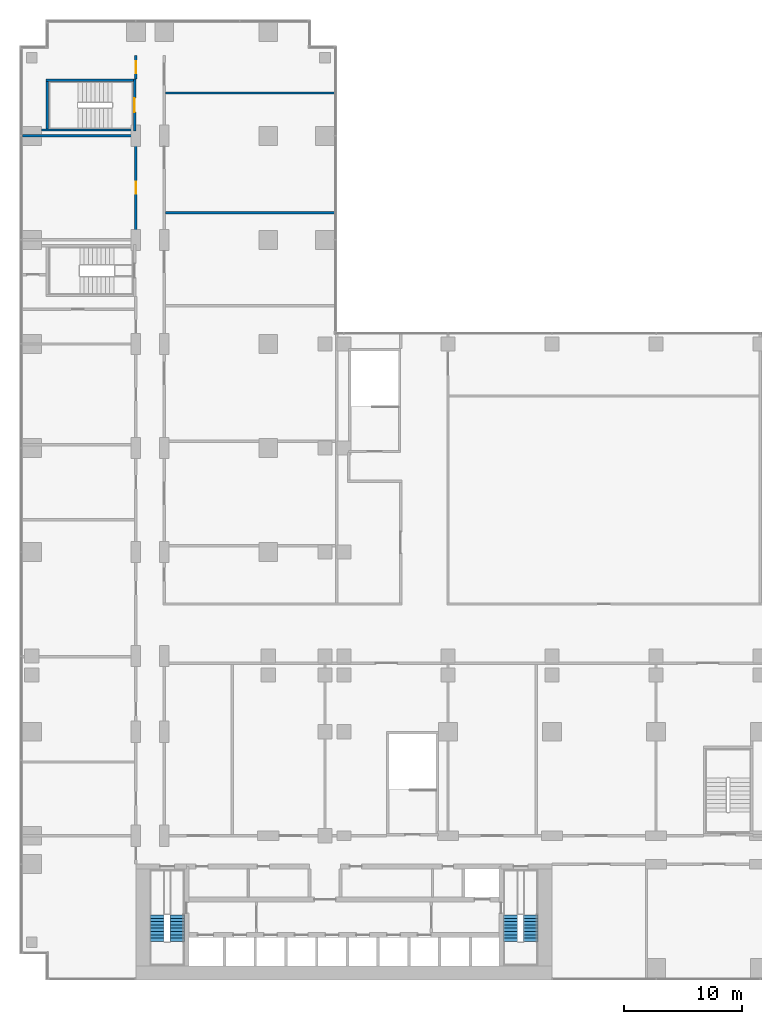
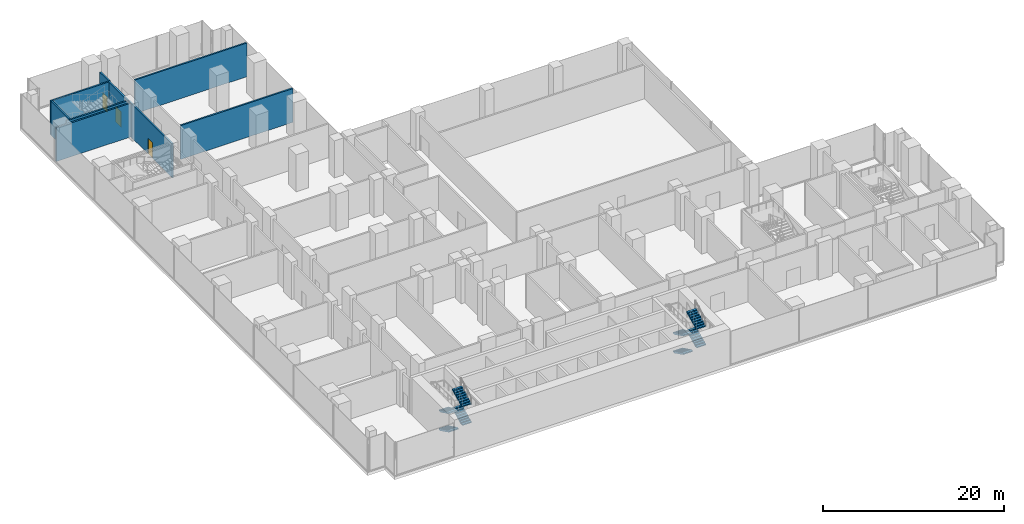
# One storey, part 22 of 27: 9 walls, 8 stair flights, 3 doors, 3 openings, 2 elements without a shape of their own.
"""IFC4 building model written with IfcOpenShell, lengths in metres."""

import ifcopenshell
import ifcopenshell.guid

model = None  # the IFC model being written
_history = None  # IfcOwnerHistory: only IFC2X3 demands one
_inside = {}  # id of a spatial element -> (the spatial element, [elements in it])
_under = {}  # id of a project, library or spatial element -> (it, [spatial elements below it])
_declared = {}  # id of a project -> (the project, [libraries it declares])
_typed = {}  # id of a type object -> (the type object, [elements of that type])
_made_of = {}  # id of a material, layer set ... -> (it, [elements and type objects made of it])


def new_model(schema):
    """Start an empty IFC model of exactly this schema.

    Asked for "IFC4X3", IfcOpenShell would pick the latest addendum, in which some entities
    have other attributes; the version numbers below select the first issue.
    IFC2X3 requires an IfcOwnerHistory on every rooted entity: one is made here for all.
    """
    global model, _history
    if schema == "IFC4X3":
        model = ifcopenshell.file(schema_version=(4, 3, 0, 0))
    else:
        model = ifcopenshell.file(schema=schema)
    _inside.clear()
    _under.clear()
    _declared.clear()
    _typed.clear()
    _made_of.clear()
    _history = None
    if model.schema == "IFC2X3":
        org = make("IfcOrganization", Name="unknown")
        user = make(
            "IfcPersonAndOrganization",
            ThePerson=make("IfcPerson", FamilyName="unknown"),
            TheOrganization=org,
        )
        app = make(
            "IfcApplication",
            ApplicationDeveloper=org,
            Version="unknown",
            ApplicationFullName="unknown",
            ApplicationIdentifier="unknown",
        )
        _history = make(
            "IfcOwnerHistory",
            OwningUser=user,
            OwningApplication=app,
            ChangeAction="ADDED",
            CreationDate=0,
        )
    return model


def make(cls, **values):
    """One entity of the class cls with the attributes given. An attribute that is None is left unset."""
    return model.create_entity(
        cls, **{name: value for name, value in values.items() if value is not None}
    )


def rooted(cls, **values):
    """An entity with a GlobalId (a new one), such as an element, a storey or a relation."""
    return make(cls, GlobalId=ifcopenshell.guid.new(), OwnerHistory=_history, **values)


def si_unit(unit_type, name, prefix=None):
    """IfcSIUnit, for example si_unit("LENGTHUNIT", "METRE", prefix="MILLI")."""
    return make("IfcSIUnit", UnitType=unit_type, Prefix=prefix, Name=name)


def assignment(units):
    """IfcUnitAssignment: the units of a project."""
    return None if units is None else make("IfcUnitAssignment", Units=units)


def point(xyz):
    """IfcCartesianPoint."""
    return None if xyz is None else make("IfcCartesianPoint", Coordinates=xyz)


def direction(xyz):
    """IfcDirection."""
    return None if xyz is None else make("IfcDirection", DirectionRatios=xyz)


def frame(location, z_axis=None, x_axis=None):
    """IfcAxis2Placement3D, a coordinate frame: its origin and axes. An axis left out is left unset."""
    return make(
        "IfcAxis2Placement3D",
        Location=point(location),
        Axis=direction(z_axis),
        RefDirection=direction(x_axis),
    )


def frame_2d(location, x_axis=None):
    """IfcAxis2Placement2D, a coordinate frame in the plane: its origin and x axis."""
    return make(
        "IfcAxis2Placement2D", Location=point(location), RefDirection=direction(x_axis)
    )


def origin():
    """The frame at (0, 0, 0) with its axes left unset."""
    return frame((0.0, 0.0, 0.0))


def place(relative_to, where):
    """IfcLocalPlacement: puts the frame where relative to a parent placement (None: the world)."""
    return make(
        "IfcLocalPlacement", PlacementRelTo=relative_to, RelativePlacement=where
    )


def context(
    kind, dimensions, precision=None, world=None, true_north=None, identifier=None
):
    """IfcGeometricRepresentationContext, for example the 3D "Model" context."""
    return make(
        "IfcGeometricRepresentationContext",
        ContextIdentifier=identifier,
        ContextType=kind,
        CoordinateSpaceDimension=dimensions,
        Precision=precision,
        WorldCoordinateSystem=world,
        TrueNorth=true_north,
    )


def subcontext(parent, identifier, kind, view, scale=None):
    """IfcGeometricRepresentationSubContext, for example "Body" below "Model"."""
    return make(
        "IfcGeometricRepresentationSubContext",
        ContextIdentifier=identifier,
        ContextType=kind,
        ParentContext=parent,
        TargetScale=scale,
        TargetView=view,
    )


def project(units=None, contexts=None):
    """IfcProject with its units and contexts."""
    return rooted(
        "IfcProject",
        Name="project",
        RepresentationContexts=contexts,
        UnitsInContext=assignment(units),
    )


def spatial(cls, under=None, at=None, **own):
    """A site, building, storey or space (cls), placed at a placement, below another one or the project."""
    s = rooted(cls, ObjectPlacement=at, **own)
    if under is not None:
        _under.setdefault(under.id(), (under, []))[1].append(s)
    return s


def polyline(points):
    """IfcPolyline through the points."""
    return make("IfcPolyline", Points=[point(p) for p in points])


def profile(cls, at=None, kind="AREA", **sizes):
    """A parametric profile (cls). Its sizes go by their IFC names, for example OverallWidth=200.0."""
    return make(cls, ProfileType=kind, Position=at, **sizes)


def rectangle(**sizes):
    """IfcRectangleProfileDef."""
    return profile("IfcRectangleProfileDef", **sizes)


def outline(outer, holes=None, kind="AREA"):
    """IfcArbitraryClosedProfileDef: a profile drawn as a closed curve; with holes, ...WithVoids."""
    if holes is None:
        return make("IfcArbitraryClosedProfileDef", ProfileType=kind, OuterCurve=outer)
    return make(
        "IfcArbitraryProfileDefWithVoids",
        ProfileType=kind,
        OuterCurve=outer,
        InnerCurves=holes,
    )


def extrude(swept, where, along, depth):
    """IfcExtrudedAreaSolid: the profile swept, set in the frame where, extruded along a direction by depth."""
    return make(
        "IfcExtrudedAreaSolid",
        SweptArea=swept,
        Position=where,
        ExtrudedDirection=direction(along),
        Depth=depth,
    )


def shape(context_of_items, identifier, shape_type, items):
    """IfcShapeRepresentation: the items that make up one representation, for example the "Body"."""
    return make(
        "IfcShapeRepresentation",
        ContextOfItems=context_of_items,
        RepresentationIdentifier=identifier,
        RepresentationType=shape_type,
        Items=items,
    )


def material(Name=None, Category=None):
    """IfcMaterial."""
    return make("IfcMaterial", Name=Name, Category=Category)


def layer(
    of_material, thickness, ventilated=None, Name=None, Category=None, Priority=None
):
    """IfcMaterialLayer: one layer of a wall or slab, of a material (None: an air gap)."""
    return make(
        "IfcMaterialLayer",
        Material=of_material,
        LayerThickness=thickness,
        IsVentilated=ventilated,
        Name=Name,
        Category=Category,
        Priority=Priority,
    )


def layer_set(layers, Name=None):
    """IfcMaterialLayerSet."""
    return make("IfcMaterialLayerSet", MaterialLayers=layers, LayerSetName=Name)


def made_of(thing, what):
    """Note that an element or type object is made of a material, layer set ...; save() writes the relation."""
    if what is not None:
        _made_of.setdefault(what.id(), (what, []))[1].append(thing)
    return thing


def type_object(cls, material=None, **own):
    """A type object (cls), such as IfcWallType, which elements share."""
    return made_of(rooted(cls, **own), material)


def element(
    cls,
    number,
    at=None,
    inside=None,
    cuts=None,
    type_object=None,
    material=None,
    context=None,
    identifier="Body",
    shape_type=None,
    held_by="IfcProductDefinitionShape",
    body=None,
    shapes=None,
    **own,
):
    """One element of the class cls, such as IfcWall. Its Tag is "e" and its number.

    at: its placement. inside: the storey or other place that contains it. cuts: it is an
    opening in that element (IfcRelVoidsElement). A single representation is given by context,
    identifier, shape_type and body (its items); several are given by shapes. held_by: the class
    of the entity that holds the representations. save() writes the other relations.
    """
    e = rooted(cls, Tag="e%d" % number, ObjectPlacement=at, **own)
    if body is not None:
        shapes = [shape(context, identifier, shape_type, body)]
    if shapes is not None:
        e.Representation = make(held_by, Representations=shapes)
    if inside is not None:
        _inside.setdefault(inside.id(), (inside, []))[1].append(e)
    if cuts is not None:
        rooted(
            "IfcRelVoidsElement", RelatingBuildingElement=cuts, RelatedOpeningElement=e
        )
    if type_object is not None:
        _typed.setdefault(type_object.id(), (type_object, []))[1].append(e)
    return made_of(e, material)


def fill(opening, filler):
    """IfcRelFillsElement: the door or window that sits in an opening."""
    return rooted(
        "IfcRelFillsElement",
        RelatingOpeningElement=opening,
        RelatedBuildingElement=filler,
    )


def aggregate(whole, parts):
    """IfcRelAggregates: a whole, such as a stair, and the parts it consists of."""
    return rooted("IfcRelAggregates", RelatingObject=whole, RelatedObjects=parts)


def save(model, path):
    """Write the relations noted so far, then the file.

    IfcRelAggregates (storeys below a building ...), IfcRelContainedInSpatialStructure (elements
    in a storey), IfcRelDefinesByType, IfcRelAssociatesMaterial and IfcRelDeclares: one each for
    every whole, place, type object, material and project.
    """
    for whole, parts in _under.values():
        aggregate(whole, parts)
    for where, things in _inside.values():
        rooted(
            "IfcRelContainedInSpatialStructure",
            RelatedElements=things,
            RelatingStructure=where,
        )
    for kind, things in _typed.values():
        rooted("IfcRelDefinesByType", RelatedObjects=things, RelatingType=kind)
    for what, things in _made_of.values():
        rooted("IfcRelAssociatesMaterial", RelatedObjects=things, RelatingMaterial=what)
    for by, libraries in _declared.values():
        rooted("IfcRelDeclares", RelatingContext=by, RelatedDefinitions=libraries)
    model.write(path)


model = new_model("IFC4")

# Units and contexts
model_context = context("Model", 3, precision=1e-05, world=origin(), true_north=direction((0.0, 1.0)))
body_context = subcontext(model_context, "Body", "Model", "MODEL_VIEW")
ifc_project = project(units=[si_unit("LENGTHUNIT", "METRE"), si_unit("AREAUNIT", "SQUARE_METRE"), si_unit("VOLUMEUNIT", "CUBIC_METRE"), si_unit("PLANEANGLEUNIT", "RADIAN"), si_unit("MASSUNIT", "GRAM", prefix="KILO")], contexts=[model_context])

# Site, building, storey
site_placement = place(None, origin())
site = spatial("IfcSite", under=ifc_project, at=site_placement, CompositionType="ELEMENT")
building_placement = place(site_placement, origin())
building = spatial("IfcBuilding", under=site, at=building_placement, Name="Kemantara Hotel Tower", CompositionType="ELEMENT")
storey_placement = place(building_placement, frame((0.0, 0.0, 29.0)))
storey = spatial("IfcBuildingStorey", under=building, at=storey_placement, Name="L05", CompositionType="ELEMENT", Elevation=29.0)

# Wall, opening, door
ifc_material_1 = material(Name="Concrete fc 40 MPa", Category="concrete")
ifc_layer_1 = layer(ifc_material_1, 0.199951171875)
ifc_layer_set_1 = layer_set([ifc_layer_1], Name="Concrete fc 40 MPa")
wall_type_1 = type_object("IfcWallType", Name="Concrete stair wall 200 mm", PredefinedType="SHEAR", material=ifc_layer_set_1)
wall_1_placement = place(storey_placement, frame((9.699951171875, 71.800048828125, 0.0), z_axis=(0.0, 0.0, 1.0), x_axis=(0.0, 1.0, 0.0)))
wall_1 = element("IfcWall", 1, at=wall_1_placement, inside=storey, type_object=wall_type_1, Name="Stair ST6 enclosure wall with door", PredefinedType="SHEAR", context=body_context, shape_type="SweptSolid", body=[
    extrude(rectangle(XDim=4.39990234375, YDim=0.199951171875, at=frame_2d((2.199951171875, 0.0))), origin(), (0.0, 0.0, 1.0), 4.60009765625),
])
opening_1_placement = place(wall_1_placement, frame((1.60009765625, 0.0, 0.0)))
opening_1 = element("IfcOpeningElement", 2, at=opening_1_placement, cuts=wall_1, Name="Opening ST6-C", PredefinedType="OPENING", context=body_context, shape_type="SweptSolid", body=[
    extrude(rectangle(XDim=1.199951171875, YDim=2.10009765625, at=frame_2d((0.60009765625, 1.050048828125))), frame((0.0, 0.10986328125, 0.0), z_axis=(0.0, -1.0, 0.0), x_axis=(1.0, 0.0, 0.0)), (0.0, 0.0, 1.0), 0.219970703125),
])
ifc_material_2 = material(Name="Steel fire door", Category="steel")
door_type_1 = type_object("IfcDoorType", Name="Fire door FD90 1200 x 2100", OperationType="NOTDEFINED", PredefinedType="DOOR", material=ifc_material_2)
door_1_placement = place(opening_1_placement, origin())
door_1 = element("IfcDoor", 3, at=door_1_placement, inside=storey, type_object=door_type_1, Name="Stair ST6 door", OperationType="SINGLE_SWING_RIGHT", OverallHeight=2.10009765625, OverallWidth=1.199951171875, PredefinedType="DOOR", context=body_context, shape_type="SweptSolid", body=[
    extrude(rectangle(XDim=1.199951171875, YDim=2.10009765625, at=frame_2d((0.60009765625, 1.050048828125))), frame((0.0, 0.02490234375, 0.0), z_axis=(0.0, -1.0, 0.0), x_axis=(1.0, 0.0, 0.0)), (0.0, 0.0, 1.0), 0.050048828125),
])
fill(opening_1, door_1)

# Walls
wall_2_placement = place(storey_placement, frame((2.199951171875, 76.10009765625, 0.0), z_axis=(0.0, 0.0, 1.0), x_axis=(1.0, 0.0, 0.0)))
element("IfcWall", 4, at=wall_2_placement, inside=storey, type_object=wall_type_1, Name="Stair ST6 enclosure wall N", PredefinedType="SHEAR", context=body_context, shape_type="SweptSolid", body=[
    extrude(rectangle(XDim=7.400146484375, YDim=0.199951171875, at=frame_2d((3.7001953125, 0.0))), origin(), (0.0, 0.0, 1.0), 4.60009765625),
])
wall_3_placement = place(storey_placement, frame((1.800048828125, 71.89990234375, 0.0), z_axis=(0.0, 0.0, 1.0), x_axis=(1.0, 0.0, 0.0)))
element("IfcWall", 5, at=wall_3_placement, inside=storey, type_object=wall_type_1, Name="Stair ST6 enclosure wall S", PredefinedType="SHEAR", context=body_context, shape_type="SweptSolid", body=[
    extrude(rectangle(XDim=7.800048828125, YDim=0.199951171875, at=frame_2d((3.89990234375, 0.0))), origin(), (0.0, 0.0, 1.0), 4.60009765625),
])
wall_4_placement = place(storey_placement, frame((2.300048828125, 72.0, 0.0), z_axis=(0.0, 0.0, 1.0), x_axis=(0.0, 1.0, 0.0)))
element("IfcWall", 6, at=wall_4_placement, inside=storey, type_object=wall_type_1, Name="Stair ST6 enclosure wall W", PredefinedType="SHEAR", context=body_context, shape_type="SweptSolid", body=[
    extrude(rectangle(XDim=4.0, YDim=0.199951171875, at=frame_2d((2.0, 0.0))), origin(), (0.0, 0.0, 1.0), 4.60009765625),
])

# Wall, opening, door
ifc_material_3 = material(Name="Fire-rated gypsum board partition")
ifc_layer_2 = layer(ifc_material_3, 0.199951171875)
ifc_layer_set_2 = layer_set([ifc_layer_2], Name="Fire-rated gypsum board partition")
wall_type_2 = type_object("IfcWallType", Name="FIRE-RATED GYPSUM PARTITION 200 EI 60", PredefinedType="PARTITIONING", material=ifc_layer_set_2)
wall_5_placement = place(storey_placement, frame((9.800048828125, 62.199951171875, 0.0), z_axis=(0.0, 0.0, 1.0), x_axis=(0.0, 1.0, 0.0)))
wall_5 = element("IfcWall", 7, at=wall_5_placement, inside=storey, type_object=wall_type_2, Name="FIRE-RATED PARTITION", PredefinedType="PARTITIONING", context=body_context, shape_type="SweptSolid", body=[
    extrude(rectangle(XDim=9.60009765625, YDim=0.199951171875, at=frame_2d((4.800048828125, 0.0))), origin(), (0.0, 0.0, 1.0), 4.550048828125),
])
opening_2_placement = place(wall_5_placement, frame((4.300048828125, 0.0, 0.0)))
opening_2 = element("IfcOpeningElement", 8, at=opening_2_placement, cuts=wall_5, Name="Opening L05-B013", PredefinedType="OPENING", context=body_context, shape_type="SweptSolid", body=[
    extrude(rectangle(XDim=1.0, YDim=2.10009765625, at=frame_2d((0.5, 1.050048828125))), frame((0.0, 0.10986328125, 0.0), z_axis=(0.0, -1.0, 0.0), x_axis=(1.0, 0.0, 0.0)), (0.0, 0.0, 1.0), 0.219970703125),
])
ifc_material_4 = material(Name="Timber veneer door leaf", Category="wood")
door_type_2 = type_object("IfcDoorType", Name="SINGLE LEAF TIMBER DOOR 1000 X 2100", OperationType="SINGLE_SWING_LEFT", PredefinedType="DOOR", material=ifc_material_4)
door_2_placement = place(opening_2_placement, origin())
door_2 = element("IfcDoor", 9, at=door_2_placement, inside=storey, type_object=door_type_2, Name="SINGLE LEAF TIMBER DOOR", OperationType="SINGLE_SWING_RIGHT", OverallHeight=2.10009765625, OverallWidth=1.0, PredefinedType="DOOR", context=body_context, shape_type="SweptSolid", body=[
    extrude(rectangle(XDim=1.0, YDim=2.10009765625, at=frame_2d((0.5, 1.050048828125))), frame((0.0, 0.02490234375, 0.0), z_axis=(0.0, -1.0, 0.0), x_axis=(1.0, 0.0, 0.0)), (0.0, 0.0, 1.0), 0.050048828125),
])
fill(opening_2, door_2)

wall_6_placement = place(storey_placement, frame((9.800048828125, 76.199951171875, 0.0), z_axis=(0.0, 0.0, 1.0), x_axis=(0.0, 1.0, 0.0)))
wall_6 = element("IfcWall", 10, at=wall_6_placement, inside=storey, type_object=wall_type_2, Name="FIRE-RATED PARTITION", PredefinedType="PARTITIONING", context=body_context, shape_type="SweptSolid", body=[
    extrude(rectangle(XDim=2.0, YDim=0.199951171875, at=frame_2d((1.0, 0.0))), origin(), (0.0, 0.0, 1.0), 4.550048828125),
])
opening_3_placement = place(wall_6_placement, frame((0.5, 0.0, 0.0)))
opening_3 = element("IfcOpeningElement", 11, at=opening_3_placement, cuts=wall_6, Name="Opening L05-B014", PredefinedType="OPENING", context=body_context, shape_type="SweptSolid", body=[
    extrude(rectangle(XDim=1.0, YDim=2.10009765625, at=frame_2d((0.5, 1.050048828125))), frame((0.0, 0.10986328125, 0.0), z_axis=(0.0, -1.0, 0.0), x_axis=(1.0, 0.0, 0.0)), (0.0, 0.0, 1.0), 0.219970703125),
])
door_3_placement = place(opening_3_placement, origin())
door_3 = element("IfcDoor", 12, at=door_3_placement, inside=storey, type_object=door_type_2, Name="SINGLE LEAF TIMBER DOOR", OperationType="SINGLE_SWING_RIGHT", OverallHeight=2.10009765625, OverallWidth=1.0, PredefinedType="DOOR", context=body_context, shape_type="SweptSolid", body=[
    extrude(rectangle(XDim=1.0, YDim=2.10009765625, at=frame_2d((0.5, 1.050048828125))), frame((0.0, 0.02490234375, 0.0), z_axis=(0.0, -1.0, 0.0), x_axis=(1.0, 0.0, 0.0)), (0.0, 0.0, 1.0), 0.050048828125),
])
fill(opening_3, door_3)

# Walls
ifc_material_5 = material(Name="Gypsum board partition")
ifc_layer_3 = layer(ifc_material_5, 0.199951171875)
ifc_layer_set_3 = layer_set([ifc_layer_3], Name="Gypsum board partition")
wall_type_3 = type_object("IfcWallType", Name="GYPSUM BOARD PARTITION 200", PredefinedType="PARTITIONING", material=ifc_layer_set_3)
wall_7_placement = place(storey_placement, frame((0.199951171875, 71.39990234375, 0.0), z_axis=(0.0, 0.0, 1.0), x_axis=(1.0, 0.0, 0.0)))
element("IfcWall", 13, at=wall_7_placement, inside=storey, type_object=wall_type_3, Name="PARTITION", PredefinedType="PARTITIONING", context=body_context, shape_type="SweptSolid", body=[
    extrude(rectangle(XDim=9.5, YDim=0.199951171875, at=frame_2d((4.75, 0.0))), origin(), (0.0, 0.0, 1.0), 4.550048828125),
])
for number, where, z_axis, x_axis, name in (
    (14, (12.300048828125, 64.889892578125, 0.0), (0.0, 0.0, 1.0), (1.0, 0.0, 0.0), "PARTITION"),
    (15, (12.300048828125, 75.030029296875, 0.0), (0.0, 0.0, 1.0), (1.0, 0.0, 0.0), "PARTITION"),
):
    element("IfcWall", number, at=place(storey_placement, frame(where, z_axis=z_axis, x_axis=x_axis)), inside=storey, type_object=wall_type_3, Name=name, PredefinedType="PARTITIONING", context=body_context, shape_type="SweptSolid", body=[
        extrude(rectangle(XDim=14.300048828125, YDim=0.199951171875, at=frame_2d((7.14990234375, 0.0))), origin(), (0.0, 0.0, 1.0), 4.550048828125),
    ])

# Stair, stair flights
stair_type = type_object("IfcStairType", Name="Stair 1200 wide 36 risers of 139 x 280 mm", PredefinedType="HALF_TURN_STAIR", material=ifc_material_1)
stair_1_placement = place(storey_placement, origin())
stair_1 = element("IfcStair", 16, at=stair_1_placement, inside=storey, type_object=stair_type, Name="L05 Exit stair ST1", PredefinedType="HALF_TURN_STAIR")
stair_flight_type = type_object("IfcStairFlightType", Name="Stair flight 1200 wide 139 x 280 mm", PredefinedType="STRAIGHT", material=ifc_material_1)
stair_flight_1_placement = place(storey_placement, frame((11.60009765625, 5.5, 0.0), z_axis=(0.0, 0.0, 1.0), x_axis=(0.0, -1.0, 0.0)))
stair_flight_1 = element("IfcStairFlight", 17, at=stair_flight_1_placement, type_object=stair_flight_type, Name="ST1 flight 1", NumberOfRisers=9, NumberOfTreads=8, PredefinedType="STRAIGHT", RiserHeight=0.138888889, TreadLength=0.28, context=body_context, shape_type="SweptSolid", body=[
    extrude(outline(polyline([(0.0, 0.0), (0.0, 0.138916015625), (0.280029296875, 0.138916015625), (0.280029296875, 0.27783203125), (0.56005859375, 0.27783203125), (0.56005859375, 0.416748046875), (0.840087890625, 0.416748046875), (0.840087890625, 0.5556640625), (1.1201171875, 0.5556640625), (1.1201171875, 0.6943359375), (1.39990234375, 0.6943359375), (1.39990234375, 0.833251953125), (1.679931640625, 0.833251953125), (1.679931640625, 0.97216796875), (1.9599609375, 0.97216796875), (1.9599609375, 1.111083984375), (2.239990234375, 1.111083984375), (2.239990234375, 1.25), (2.239990234375, 0.94384765625), (0.33740234375, 0.0), (0.0, 0.0)])), frame((0.0, 0.60009765625, 0.0), z_axis=(0.0, -1.0, 0.0), x_axis=(1.0, 0.0, 0.0)), (0.0, 0.0, 1.0), 1.199951171875),
])
stair_flight_2_placement = place(storey_placement, frame((13.300048828125, 3.260009765625, 1.25), z_axis=(0.0, 0.0, 1.0), x_axis=(0.0, 1.0, 0.0)))
stair_flight_2 = element("IfcStairFlight", 18, at=stair_flight_2_placement, type_object=stair_flight_type, Name="ST1 flight 2", NumberOfRisers=9, NumberOfTreads=8, PredefinedType="STRAIGHT", RiserHeight=0.138888889, TreadLength=0.28, context=body_context, shape_type="SweptSolid", body=[
    extrude(outline(polyline([(0.0, 0.0), (0.0, 0.138916015625), (0.280029296875, 0.138916015625), (0.280029296875, 0.27783203125), (0.56005859375, 0.27783203125), (0.56005859375, 0.416748046875), (0.840087890625, 0.416748046875), (0.840087890625, 0.5556640625), (1.1201171875, 0.5556640625), (1.1201171875, 0.6943359375), (1.39990234375, 0.6943359375), (1.39990234375, 0.833251953125), (1.679931640625, 0.833251953125), (1.679931640625, 0.97216796875), (1.9599609375, 0.97216796875), (1.9599609375, 1.111083984375), (2.239990234375, 1.111083984375), (2.239990234375, 1.25), (2.239990234375, 0.94384765625), (0.33740234375, 0.0), (0.0, 0.0)])), frame((0.0, 0.60009765625, 0.0), z_axis=(0.0, -1.0, 0.0), x_axis=(1.0, 0.0, 0.0)), (0.0, 0.0, 1.0), 1.199951171875),
])
stair_flight_3_placement = place(storey_placement, frame((11.60009765625, 5.5, 2.5), z_axis=(0.0, 0.0, 1.0), x_axis=(0.0, -1.0, 0.0)))
stair_flight_3 = element("IfcStairFlight", 19, at=stair_flight_3_placement, type_object=stair_flight_type, Name="ST1 flight 3", NumberOfRisers=9, NumberOfTreads=8, PredefinedType="STRAIGHT", RiserHeight=0.138888889, TreadLength=0.28, context=body_context, shape_type="SweptSolid", body=[
    extrude(outline(polyline([(0.0, 0.0), (0.0, 0.138916015625), (0.280029296875, 0.138916015625), (0.280029296875, 0.27783203125), (0.56005859375, 0.27783203125), (0.56005859375, 0.416748046875), (0.840087890625, 0.416748046875), (0.840087890625, 0.5556640625), (1.1201171875, 0.5556640625), (1.1201171875, 0.6943359375), (1.39990234375, 0.6943359375), (1.39990234375, 0.833251953125), (1.679931640625, 0.833251953125), (1.679931640625, 0.97216796875), (1.9599609375, 0.97216796875), (1.9599609375, 1.111083984375), (2.239990234375, 1.111083984375), (2.239990234375, 1.25), (2.239990234375, 0.94384765625), (0.33740234375, 0.0), (0.0, 0.0)])), frame((0.0, 0.60009765625, 0.0), z_axis=(0.0, -1.0, 0.0), x_axis=(1.0, 0.0, 0.0)), (0.0, 0.0, 1.0), 1.199951171875),
])
stair_flight_4_placement = place(storey_placement, frame((13.300048828125, 3.260009765625, 3.75), z_axis=(0.0, 0.0, 1.0), x_axis=(0.0, 1.0, 0.0)))
stair_flight_4 = element("IfcStairFlight", 20, at=stair_flight_4_placement, type_object=stair_flight_type, Name="ST1 flight 4", NumberOfRisers=9, NumberOfTreads=8, PredefinedType="STRAIGHT", RiserHeight=0.138888889, TreadLength=0.28, context=body_context, shape_type="SweptSolid", body=[
    extrude(outline(polyline([(0.0, 0.0), (0.0, 0.138916015625), (0.280029296875, 0.138916015625), (0.280029296875, 0.27783203125), (0.56005859375, 0.27783203125), (0.56005859375, 0.416748046875), (0.840087890625, 0.416748046875), (0.840087890625, 0.5556640625), (1.1201171875, 0.5556640625), (1.1201171875, 0.6943359375), (1.39990234375, 0.6943359375), (1.39990234375, 0.833251953125), (1.679931640625, 0.833251953125), (1.679931640625, 0.97216796875), (1.9599609375, 0.97216796875), (1.9599609375, 1.111083984375), (2.239990234375, 1.111083984375), (2.239990234375, 1.25), (2.239990234375, 0.94384765625), (0.33740234375, 0.0), (0.0, 0.0)])), frame((0.0, 0.60009765625, 0.0), z_axis=(0.0, -1.0, 0.0), x_axis=(1.0, 0.0, 0.0)), (0.0, 0.0, 1.0), 1.199951171875),
])
aggregate(stair_1, [stair_flight_1, stair_flight_2, stair_flight_3, stair_flight_4])

stair_2_placement = place(storey_placement, origin())
stair_2 = element("IfcStair", 21, at=stair_2_placement, inside=storey, type_object=stair_type, Name="L05 Exit stair ST2", PredefinedType="HALF_TURN_STAIR")
stair_flight_5_placement = place(storey_placement, frame((41.5, 5.5, 0.0), z_axis=(0.0, 0.0, 1.0), x_axis=(0.0, -1.0, 0.0)))
stair_flight_5 = element("IfcStairFlight", 22, at=stair_flight_5_placement, type_object=stair_flight_type, Name="ST2 flight 1", NumberOfRisers=9, NumberOfTreads=8, PredefinedType="STRAIGHT", RiserHeight=0.138888889, TreadLength=0.28, context=body_context, shape_type="SweptSolid", body=[
    extrude(outline(polyline([(0.0, 0.0), (0.0, 0.138916015625), (0.280029296875, 0.138916015625), (0.280029296875, 0.27783203125), (0.56005859375, 0.27783203125), (0.56005859375, 0.416748046875), (0.840087890625, 0.416748046875), (0.840087890625, 0.5556640625), (1.1201171875, 0.5556640625), (1.1201171875, 0.6943359375), (1.39990234375, 0.6943359375), (1.39990234375, 0.833251953125), (1.679931640625, 0.833251953125), (1.679931640625, 0.97216796875), (1.9599609375, 0.97216796875), (1.9599609375, 1.111083984375), (2.239990234375, 1.111083984375), (2.239990234375, 1.25), (2.239990234375, 0.94384765625), (0.33740234375, 0.0), (0.0, 0.0)])), frame((0.0, 0.60009765625, 0.0), z_axis=(0.0, -1.0, 0.0), x_axis=(1.0, 0.0, 0.0)), (0.0, 0.0, 1.0), 1.199951171875),
])
stair_flight_6_placement = place(storey_placement, frame((43.199951171875, 3.260009765625, 1.25), z_axis=(0.0, 0.0, 1.0), x_axis=(0.0, 1.0, 0.0)))
stair_flight_6 = element("IfcStairFlight", 23, at=stair_flight_6_placement, type_object=stair_flight_type, Name="ST2 flight 2", NumberOfRisers=9, NumberOfTreads=8, PredefinedType="STRAIGHT", RiserHeight=0.138888889, TreadLength=0.28, context=body_context, shape_type="SweptSolid", body=[
    extrude(outline(polyline([(0.0, 0.0), (0.0, 0.138916015625), (0.280029296875, 0.138916015625), (0.280029296875, 0.27783203125), (0.56005859375, 0.27783203125), (0.56005859375, 0.416748046875), (0.840087890625, 0.416748046875), (0.840087890625, 0.5556640625), (1.1201171875, 0.5556640625), (1.1201171875, 0.6943359375), (1.39990234375, 0.6943359375), (1.39990234375, 0.833251953125), (1.679931640625, 0.833251953125), (1.679931640625, 0.97216796875), (1.9599609375, 0.97216796875), (1.9599609375, 1.111083984375), (2.239990234375, 1.111083984375), (2.239990234375, 1.25), (2.239990234375, 0.94384765625), (0.33740234375, 0.0), (0.0, 0.0)])), frame((0.0, 0.60009765625, 0.0), z_axis=(0.0, -1.0, 0.0), x_axis=(1.0, 0.0, 0.0)), (0.0, 0.0, 1.0), 1.199951171875),
])
stair_flight_7_placement = place(storey_placement, frame((41.5, 5.5, 2.5), z_axis=(0.0, 0.0, 1.0), x_axis=(0.0, -1.0, 0.0)))
stair_flight_7 = element("IfcStairFlight", 24, at=stair_flight_7_placement, type_object=stair_flight_type, Name="ST2 flight 3", NumberOfRisers=9, NumberOfTreads=8, PredefinedType="STRAIGHT", RiserHeight=0.138888889, TreadLength=0.28, context=body_context, shape_type="SweptSolid", body=[
    extrude(outline(polyline([(0.0, 0.0), (0.0, 0.138916015625), (0.280029296875, 0.138916015625), (0.280029296875, 0.27783203125), (0.56005859375, 0.27783203125), (0.56005859375, 0.416748046875), (0.840087890625, 0.416748046875), (0.840087890625, 0.5556640625), (1.1201171875, 0.5556640625), (1.1201171875, 0.6943359375), (1.39990234375, 0.6943359375), (1.39990234375, 0.833251953125), (1.679931640625, 0.833251953125), (1.679931640625, 0.97216796875), (1.9599609375, 0.97216796875), (1.9599609375, 1.111083984375), (2.239990234375, 1.111083984375), (2.239990234375, 1.25), (2.239990234375, 0.94384765625), (0.33740234375, 0.0), (0.0, 0.0)])), frame((0.0, 0.60009765625, 0.0), z_axis=(0.0, -1.0, 0.0), x_axis=(1.0, 0.0, 0.0)), (0.0, 0.0, 1.0), 1.199951171875),
])
stair_flight_8_placement = place(storey_placement, frame((43.199951171875, 3.260009765625, 3.75), z_axis=(0.0, 0.0, 1.0), x_axis=(0.0, 1.0, 0.0)))
stair_flight_8 = element("IfcStairFlight", 25, at=stair_flight_8_placement, type_object=stair_flight_type, Name="ST2 flight 4", NumberOfRisers=9, NumberOfTreads=8, PredefinedType="STRAIGHT", RiserHeight=0.138888889, TreadLength=0.28, context=body_context, shape_type="SweptSolid", body=[
    extrude(outline(polyline([(0.0, 0.0), (0.0, 0.138916015625), (0.280029296875, 0.138916015625), (0.280029296875, 0.27783203125), (0.56005859375, 0.27783203125), (0.56005859375, 0.416748046875), (0.840087890625, 0.416748046875), (0.840087890625, 0.5556640625), (1.1201171875, 0.5556640625), (1.1201171875, 0.6943359375), (1.39990234375, 0.6943359375), (1.39990234375, 0.833251953125), (1.679931640625, 0.833251953125), (1.679931640625, 0.97216796875), (1.9599609375, 0.97216796875), (1.9599609375, 1.111083984375), (2.239990234375, 1.111083984375), (2.239990234375, 1.25), (2.239990234375, 0.94384765625), (0.33740234375, 0.0), (0.0, 0.0)])), frame((0.0, 0.60009765625, 0.0), z_axis=(0.0, -1.0, 0.0), x_axis=(1.0, 0.0, 0.0)), (0.0, 0.0, 1.0), 1.199951171875),
])
aggregate(stair_2, [stair_flight_5, stair_flight_6, stair_flight_7, stair_flight_8])

save(model, "model.ifc")
